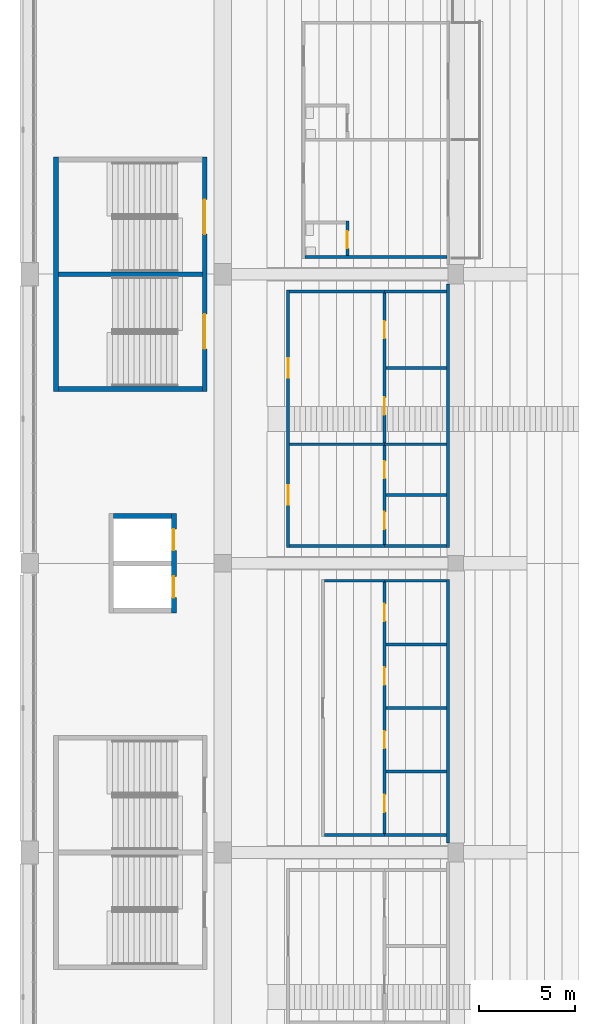
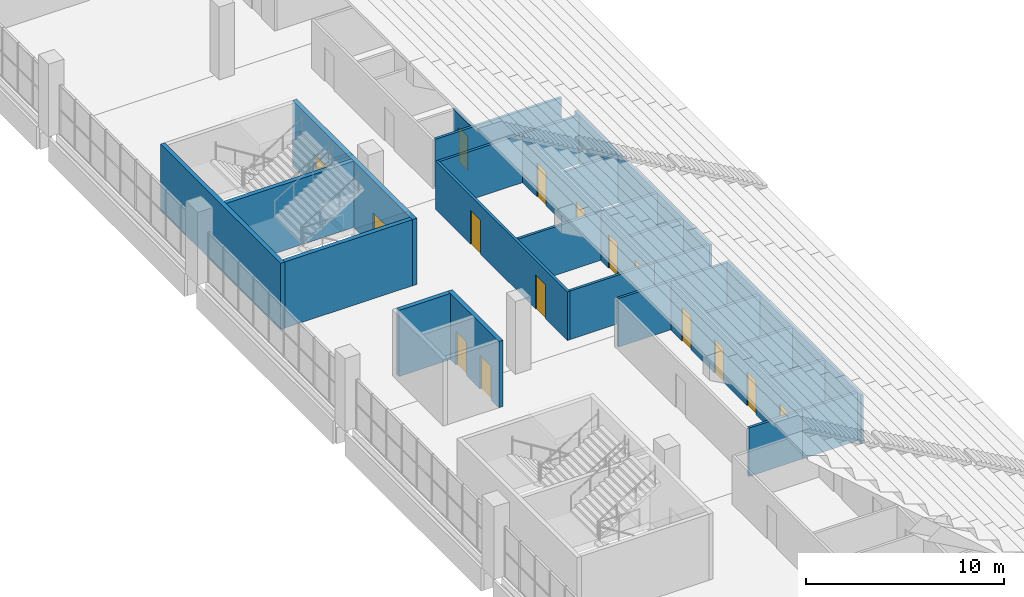
# One storey, part 90 of 249: 28 walls, 15 doors, 15 openings.
"""IFC4 building model written with IfcOpenShell, lengths in metres."""

from ifc_helpers import new_model, si_unit, direction, frame, frame_2d, origin, place, context, subcontext, project, spatial, rectangle, extrude, material, layer, layer_set, type_object, element, fill, save


model = new_model("IFC4")

# Units and contexts
model_context = context("Model", 3, precision=1e-05, world=origin(), true_north=direction((0.0, 1.0)))
body_context = subcontext(model_context, "Body", "Model", "MODEL_VIEW")
ifc_project = project(units=[si_unit("LENGTHUNIT", "METRE"), si_unit("AREAUNIT", "SQUARE_METRE"), si_unit("VOLUMEUNIT", "CUBIC_METRE"), si_unit("PLANEANGLEUNIT", "RADIAN"), si_unit("MASSUNIT", "GRAM", prefix="KILO")], contexts=[model_context])

# Site, building, storey
site_placement = place(None, origin())
site = spatial("IfcSite", under=ifc_project, at=site_placement, CompositionType="ELEMENT")
building_placement = place(site_placement, origin())
building = spatial("IfcBuilding", under=site, at=building_placement, Name="Ogive Plaza Stadium", CompositionType="ELEMENT")
storey_placement = place(building_placement, frame((0.0, 0.0, 13.5)))
storey = spatial("IfcBuildingStorey", under=building, at=storey_placement, Name="L03", CompositionType="ELEMENT", Elevation=13.5)

# Wall
ifc_material_1 = material(Name="Masonry blockwork", Category="masonry")
ifc_layer_1 = layer(ifc_material_1, 0.14990234375)
ifc_layer_set_1 = layer_set([ifc_layer_1], Name="Blockwork wall 150")
wall_type_1 = type_object("IfcWallType", Name="Blockwork wall 150", PredefinedType="SOLIDWALL", material=ifc_layer_set_1)
wall_1_placement = place(storey_placement, frame((-62.35009765625, 23.39990234375, 0.0), z_axis=(0.0, 0.0, 1.0), x_axis=(-1.0, 0.0, 0.0)))
element("IfcWall", 1, at=wall_1_placement, inside=storey, type_object=wall_type_1, Name="Wall L03 B26", PredefinedType="SOLIDWALL", context=body_context, shape_type="SweptSolid", body=[
    extrude(rectangle(XDim=7.375, YDim=0.14990234375, at=frame_2d((3.6875, 0.0))), origin(), (0.0, 0.0, 1.0), 3.0),
])

# Wall, openings, doors
ifc_material_2 = material(Name="Concrete C40/50", Category="concrete")
ifc_layer_2 = layer(ifc_material_2, 0.25)
ifc_layer_set_2 = layer_set([ifc_layer_2], Name="Concrete C40/50")
wall_type_2 = type_object("IfcWallType", Name="Core wall 250", PredefinedType="SHEAR", material=ifc_layer_set_2)
wall_2_placement = place(storey_placement, frame((-74.925048828125, 28.574951171875, 0.0), z_axis=(0.0, 0.0, 1.0), x_axis=(0.0, -1.0, 0.0)))
wall_2 = element("IfcWall", 2, at=wall_2_placement, inside=storey, type_object=wall_type_2, Name="Stair core R26 inner wall", PredefinedType="SHEAR", context=body_context, shape_type="SweptSolid", body=[
    extrude(rectangle(XDim=12.14990234375, YDim=0.25, at=frame_2d((6.074951171875, 0.0))), origin(), (0.0, 0.0, 1.0), 4.090087890625),
])
opening_1_placement = place(wall_2_placement, frame((2.199951171875, 0.0, 0.0)))
opening_1 = element("IfcOpeningElement", 3, at=opening_1_placement, cuts=wall_2, Name="Opening D0203", PredefinedType="OPENING", context=body_context, shape_type="SweptSolid", body=[
    extrude(rectangle(XDim=1.800048828125, YDim=2.10009765625, at=frame_2d((0.89990234375, 1.050048828125))), frame((0.0, 0.125, 0.0), z_axis=(0.0, -1.0, 0.0), x_axis=(1.0, 0.0, 0.0)), (0.0, 0.0, 1.0), 0.25),
])
opening_2_placement = place(wall_2_placement, frame((8.14990234375, 0.0, 0.0)))
opening_2 = element("IfcOpeningElement", 4, at=opening_2_placement, cuts=wall_2, Name="Opening D0204", PredefinedType="OPENING", context=body_context, shape_type="SweptSolid", body=[
    extrude(rectangle(XDim=1.800048828125, YDim=2.10009765625, at=frame_2d((0.89990234375, 1.050048828125))), frame((0.0, 0.125, 0.0), z_axis=(0.0, -1.0, 0.0), x_axis=(1.0, 0.0, 0.0)), (0.0, 0.0, 1.0), 0.25),
])
ifc_material_3 = material(Name="Steel ASTM A572 Grade 50", Category="steel")
door_type_1 = type_object("IfcDoorType", Name="Fire door FD90 pair 1800 x 2100", OperationType="DOUBLE_DOOR_SINGLE_SWING", PredefinedType="DOOR", material=ifc_material_3)
door_1_placement = place(opening_1_placement, origin())
door_1 = element("IfcDoor", 5, at=door_1_placement, inside=storey, type_object=door_type_1, Name="Exit stair R26A door L03", OperationType="DOUBLE_DOOR_SINGLE_SWING", OverallHeight=2.10009765625, OverallWidth=1.800048828125, PredefinedType="DOOR", context=body_context, shape_type="SweptSolid", body=[
    extrude(rectangle(XDim=1.800048828125, YDim=2.10009765625, at=frame_2d((0.89990234375, 1.050048828125))), frame((0.0, 0.02490234375, 0.0), z_axis=(0.0, -1.0, 0.0), x_axis=(1.0, 0.0, 0.0)), (0.0, 0.0, 1.0), 0.050048828125),
])
fill(opening_1, door_1)
door_2_placement = place(opening_2_placement, origin())
door_2 = element("IfcDoor", 6, at=door_2_placement, inside=storey, type_object=door_type_1, Name="Exit stair R26B door L03", OperationType="DOUBLE_DOOR_SINGLE_SWING", OverallHeight=2.10009765625, OverallWidth=1.800048828125, PredefinedType="DOOR", context=body_context, shape_type="SweptSolid", body=[
    extrude(rectangle(XDim=1.800048828125, YDim=2.10009765625, at=frame_2d((0.89990234375, 1.050048828125))), frame((0.0, 0.02490234375, 0.0), z_axis=(0.0, -1.0, 0.0), x_axis=(1.0, 0.0, 0.0)), (0.0, 0.0, 1.0), 0.050048828125),
])
fill(opening_2, door_2)

# Walls
wall_3_placement = place(storey_placement, frame((-82.635009765625, 28.574951171875, 0.0), z_axis=(0.0, 0.0, 1.0), x_axis=(0.0, -1.0, 0.0)))
element("IfcWall", 7, at=wall_3_placement, inside=storey, type_object=wall_type_2, Name="Stair core R26 outer wall", PredefinedType="SHEAR", context=body_context, shape_type="SweptSolid", body=[
    extrude(rectangle(XDim=12.14990234375, YDim=0.25, at=frame_2d((6.074951171875, 0.0))), origin(), (0.0, 0.0, 1.0), 4.090087890625),
])
for number, where, z_axis, x_axis, name in (
    (8, (-75.050048828125, 16.550048828125, 0.0), (0.0, 0.0, 1.0), (-1.0, 0.0, 0.0), "Stair core R26 side wall"),
    (9, (-75.050048828125, 22.5, 0.0), (0.0, 0.0, 1.0), (-1.0, 0.0, 0.0), "Stair core R26 centre wall"),
):
    element("IfcWall", number, at=place(storey_placement, frame(where, z_axis=z_axis, x_axis=x_axis)), inside=storey, type_object=wall_type_2, Name=name, PredefinedType="SHEAR", context=body_context, shape_type="SweptSolid", body=[
        extrude(rectangle(XDim=7.4599609375, YDim=0.25, at=frame_2d((3.72998046875, 0.0))), origin(), (0.0, 0.0, 1.0), 4.090087890625),
    ])

# Wall, openings, doors
wall_4_placement = place(storey_placement, frame((-76.52490234375, 10.074951171875, 0.0), z_axis=(0.0, 0.0, 1.0), x_axis=(0.0, -1.0, 0.0)))
wall_4 = element("IfcWall", 10, at=wall_4_placement, inside=storey, type_object=wall_type_2, Name="Lift core LP25 landing wall", PredefinedType="SHEAR", context=body_context, shape_type="SweptSolid", body=[
    extrude(rectangle(XDim=5.14990234375, YDim=0.25, at=frame_2d((2.574951171875, 0.0))), origin(), (0.0, 0.0, 1.0), 4.090087890625),
])
opening_3_placement = place(wall_4_placement, frame((0.800048828125, 0.0, 0.0)))
opening_3 = element("IfcOpeningElement", 11, at=opening_3_placement, cuts=wall_4, Name="Opening LD064", PredefinedType="OPENING", context=body_context, shape_type="SweptSolid", body=[
    extrude(rectangle(XDim=1.10009765625, YDim=2.10009765625, at=frame_2d((0.550048828125, 1.050048828125))), frame((0.0, 0.125, 0.0), z_axis=(0.0, -1.0, 0.0), x_axis=(1.0, 0.0, 0.0)), (0.0, 0.0, 1.0), 0.25),
])
opening_4_placement = place(wall_4_placement, frame((3.25, 0.0, 0.0)))
opening_4 = element("IfcOpeningElement", 12, at=opening_4_placement, cuts=wall_4, Name="Opening LD065", PredefinedType="OPENING", context=body_context, shape_type="SweptSolid", body=[
    extrude(rectangle(XDim=1.10009765625, YDim=2.10009765625, at=frame_2d((0.550048828125, 1.050048828125))), frame((0.0, 0.125, 0.0), z_axis=(0.0, -1.0, 0.0), x_axis=(1.0, 0.0, 0.0)), (0.0, 0.0, 1.0), 0.25),
])
ifc_material_4 = material(Name="Steel ASTM A572 Grade 50", Category="steel")
door_type_2 = type_object("IfcDoorType", Name="Landing door 1100 x 2100", OperationType="SLIDING_TO_LEFT", PredefinedType="DOOR", material=ifc_material_4)
door_3_placement = place(opening_3_placement, origin())
door_3 = element("IfcDoor", 13, at=door_3_placement, inside=storey, type_object=door_type_2, Name="Lift landing door LP25 L03", OperationType="SLIDING_TO_LEFT", OverallHeight=2.10009765625, OverallWidth=1.10009765625, PredefinedType="DOOR", context=body_context, shape_type="SweptSolid", body=[
    extrude(rectangle(XDim=1.10009765625, YDim=2.10009765625, at=frame_2d((0.550048828125, 1.050048828125))), frame((0.0, 0.02490234375, 0.0), z_axis=(0.0, -1.0, 0.0), x_axis=(1.0, 0.0, 0.0)), (0.0, 0.0, 1.0), 0.050048828125),
])
fill(opening_3, door_3)
door_4_placement = place(opening_4_placement, origin())
door_4 = element("IfcDoor", 14, at=door_4_placement, inside=storey, type_object=door_type_2, Name="Lift landing door LP25 L03", OperationType="SLIDING_TO_LEFT", OverallHeight=2.10009765625, OverallWidth=1.10009765625, PredefinedType="DOOR", context=body_context, shape_type="SweptSolid", body=[
    extrude(rectangle(XDim=1.10009765625, YDim=2.10009765625, at=frame_2d((0.550048828125, 1.050048828125))), frame((0.0, 0.02490234375, 0.0), z_axis=(0.0, -1.0, 0.0), x_axis=(1.0, 0.0, 0.0)), (0.0, 0.0, 1.0), 0.050048828125),
])
fill(opening_4, door_4)

# Walls
wall_5_placement = place(storey_placement, frame((-76.64990234375, 9.949951171875, 0.0), z_axis=(0.0, 0.0, 1.0), x_axis=(-1.0, 0.0, 0.0)))
element("IfcWall", 15, at=wall_5_placement, inside=storey, type_object=wall_type_2, Name="Lift core LP25 side wall", PredefinedType="SHEAR", context=body_context, shape_type="SweptSolid", body=[
    extrude(rectangle(XDim=3.0, YDim=0.25, at=frame_2d((1.5, 0.0))), origin(), (0.0, 0.0, 1.0), 4.090087890625),
])
ifc_material_5 = material(Name="Gypsum board partition", Category="gypsum")
ifc_layer_3 = layer(ifc_material_5, 0.14990234375)
ifc_layer_set_3 = layer_set([ifc_layer_3], Name="Partition 150")
wall_type_3 = type_object("IfcWallType", Name="Partition 150", PredefinedType="PARTITIONING", material=ifc_layer_set_3)
wall_6_placement = place(storey_placement, frame((-62.300048828125, -7.0, 0.0), z_axis=(0.0, 0.0, 1.0), x_axis=(0.0, 1.0, 0.0)))
element("IfcWall", 16, at=wall_6_placement, inside=storey, type_object=wall_type_3, Name="Wall L03 B24", PredefinedType="PARTITIONING", context=body_context, shape_type="SweptSolid", body=[
    extrude(rectangle(XDim=13.675048828125, YDim=0.14990234375, at=frame_2d((6.83740234375, 0.0))), origin(), (0.0, 0.0, 1.0), 3.0),
])

# Wall, openings, doors
wall_7_placement = place(storey_placement, frame((-65.60009765625, -6.675048828125, 0.0), z_axis=(0.0, 0.0, 1.0), x_axis=(0.0, 1.0, 0.0)))
wall_7 = element("IfcWall", 17, at=wall_7_placement, inside=storey, type_object=wall_type_3, Name="Wall L03 B24", PredefinedType="PARTITIONING", context=body_context, shape_type="SweptSolid", body=[
    extrude(rectangle(XDim=13.35009765625, YDim=0.14990234375, at=frame_2d((6.675048828125, 0.0))), origin(), (0.0, 0.0, 1.0), 3.0),
])
opening_5_placement = place(wall_7_placement, frame((1.27490234375, 0.0, 0.0)))
opening_5 = element("IfcOpeningElement", 18, at=opening_5_placement, cuts=wall_7, Name="Opening D0842", PredefinedType="OPENING", context=body_context, shape_type="SweptSolid", body=[
    extrude(rectangle(XDim=0.89990234375, YDim=2.10009765625, at=frame_2d((0.449951171875, 1.050048828125))), frame((0.0, 0.074951171875, 0.0), z_axis=(0.0, -1.0, 0.0), x_axis=(1.0, 0.0, 0.0)), (0.0, 0.0, 1.0), 0.14990234375),
])
opening_6_placement = place(wall_7_placement, frame((4.574951171875, 0.0, 0.0)))
opening_6 = element("IfcOpeningElement", 19, at=opening_6_placement, cuts=wall_7, Name="Opening D0843", PredefinedType="OPENING", context=body_context, shape_type="SweptSolid", body=[
    extrude(rectangle(XDim=0.89990234375, YDim=2.10009765625, at=frame_2d((0.449951171875, 1.050048828125))), frame((0.0, 0.074951171875, 0.0), z_axis=(0.0, -1.0, 0.0), x_axis=(1.0, 0.0, 0.0)), (0.0, 0.0, 1.0), 0.14990234375),
])
opening_7_placement = place(wall_7_placement, frame((7.875, 0.0, 0.0)))
opening_7 = element("IfcOpeningElement", 20, at=opening_7_placement, cuts=wall_7, Name="Opening D0844", PredefinedType="OPENING", context=body_context, shape_type="SweptSolid", body=[
    extrude(rectangle(XDim=0.89990234375, YDim=2.10009765625, at=frame_2d((0.449951171875, 1.050048828125))), frame((0.0, 0.074951171875, 0.0), z_axis=(0.0, -1.0, 0.0), x_axis=(1.0, 0.0, 0.0)), (0.0, 0.0, 1.0), 0.14990234375),
])
opening_8_placement = place(wall_7_placement, frame((11.175048828125, 0.0, 0.0)))
opening_8 = element("IfcOpeningElement", 21, at=opening_8_placement, cuts=wall_7, Name="Opening D0845", PredefinedType="OPENING", context=body_context, shape_type="SweptSolid", body=[
    extrude(rectangle(XDim=0.89990234375, YDim=2.10009765625, at=frame_2d((0.449951171875, 1.050048828125))), frame((0.0, 0.074951171875, 0.0), z_axis=(0.0, -1.0, 0.0), x_axis=(1.0, 0.0, 0.0)), (0.0, 0.0, 1.0), 0.14990234375),
])
ifc_material_6 = material(Name="Steel ASTM A572 Grade 50", Category="steel")
door_type_3 = type_object("IfcDoorType", Name="Door 900 x 2100", OperationType="SINGLE_SWING_LEFT", PredefinedType="DOOR", material=ifc_material_6)
door_5_placement = place(opening_5_placement, origin())
door_5 = element("IfcDoor", 22, at=door_5_placement, inside=storey, type_object=door_type_3, Name="Commentary Booth B24 door", OperationType="SINGLE_SWING_LEFT", OverallHeight=2.10009765625, OverallWidth=0.89990234375, PredefinedType="DOOR", context=body_context, shape_type="SweptSolid", body=[
    extrude(rectangle(XDim=0.89990234375, YDim=2.10009765625, at=frame_2d((0.449951171875, 1.050048828125))), frame((0.0, 0.02490234375, 0.0), z_axis=(0.0, -1.0, 0.0), x_axis=(1.0, 0.0, 0.0)), (0.0, 0.0, 1.0), 0.050048828125),
])
fill(opening_5, door_5)
door_6_placement = place(opening_6_placement, origin())
door_6 = element("IfcDoor", 23, at=door_6_placement, inside=storey, type_object=door_type_3, Name="Commentary Booth B24 door", OperationType="SINGLE_SWING_RIGHT", OverallHeight=2.10009765625, OverallWidth=0.89990234375, PredefinedType="DOOR", context=body_context, shape_type="SweptSolid", body=[
    extrude(rectangle(XDim=0.89990234375, YDim=2.10009765625, at=frame_2d((0.449951171875, 1.050048828125))), frame((0.0, 0.02490234375, 0.0), z_axis=(0.0, -1.0, 0.0), x_axis=(1.0, 0.0, 0.0)), (0.0, 0.0, 1.0), 0.050048828125),
])
fill(opening_6, door_6)
door_7_placement = place(opening_7_placement, origin())
door_7 = element("IfcDoor", 24, at=door_7_placement, inside=storey, type_object=door_type_3, Name="Commentary Booth B24 door", OperationType="SINGLE_SWING_LEFT", OverallHeight=2.10009765625, OverallWidth=0.89990234375, PredefinedType="DOOR", context=body_context, shape_type="SweptSolid", body=[
    extrude(rectangle(XDim=0.89990234375, YDim=2.10009765625, at=frame_2d((0.449951171875, 1.050048828125))), frame((0.0, 0.02490234375, 0.0), z_axis=(0.0, -1.0, 0.0), x_axis=(1.0, 0.0, 0.0)), (0.0, 0.0, 1.0), 0.050048828125),
])
fill(opening_7, door_7)
door_8_placement = place(opening_8_placement, origin())
door_8 = element("IfcDoor", 25, at=door_8_placement, inside=storey, type_object=door_type_3, Name="Commentary Booth B24 door", OperationType="SINGLE_SWING_RIGHT", OverallHeight=2.10009765625, OverallWidth=0.89990234375, PredefinedType="DOOR", context=body_context, shape_type="SweptSolid", body=[
    extrude(rectangle(XDim=0.89990234375, YDim=2.10009765625, at=frame_2d((0.449951171875, 1.050048828125))), frame((0.0, 0.02490234375, 0.0), z_axis=(0.0, -1.0, 0.0), x_axis=(1.0, 0.0, 0.0)), (0.0, 0.0, 1.0), 0.050048828125),
])
fill(opening_8, door_8)

# Walls
wall_8_placement = place(storey_placement, frame((-62.375, -6.60009765625, 0.0), z_axis=(0.0, 0.0, 1.0), x_axis=(-1.0, 0.0, 0.0)))
element("IfcWall", 26, at=wall_8_placement, inside=storey, type_object=wall_type_3, Name="Wall L03 B24", PredefinedType="PARTITIONING", context=body_context, shape_type="SweptSolid", body=[
    extrude(rectangle(XDim=3.22509765625, YDim=0.14990234375, at=frame_2d((1.612548828125, 0.0))), origin(), (0.0, 0.0, 1.0), 3.0),
])
for number, where, z_axis, x_axis, name in (
    (27, (-62.375, -3.300048828125, 0.0), (0.0, 0.0, 1.0), (-1.0, 0.0, 0.0), "Wall L03 B24"),
    (28, (-62.375, 0.0, 0.0), (0.0, 0.0, 1.0), (-1.0, 0.0, 0.0), "Wall L03 B24"),
    (29, (-62.375, 3.300048828125, 0.0), (0.0, 0.0, 1.0), (-1.0, 0.0, 0.0), "Wall L03 B24"),
):
    element("IfcWall", number, at=place(storey_placement, frame(where, z_axis=z_axis, x_axis=x_axis)), inside=storey, type_object=wall_type_3, Name=name, PredefinedType="PARTITIONING", context=body_context, shape_type="SweptSolid", body=[
        extrude(rectangle(XDim=3.14990234375, YDim=0.14990234375, at=frame_2d((1.574951171875, 0.0))), origin(), (0.0, 0.0, 1.0), 3.0),
    ])
wall_9_placement = place(storey_placement, frame((-62.375, 6.60009765625, 0.0), z_axis=(0.0, 0.0, 1.0), x_axis=(-1.0, 0.0, 0.0)))
element("IfcWall", 30, at=wall_9_placement, inside=storey, type_object=wall_type_3, Name="Wall L03 B24", PredefinedType="PARTITIONING", context=body_context, shape_type="SweptSolid", body=[
    extrude(rectangle(XDim=3.22509765625, YDim=0.14990234375, at=frame_2d((1.612548828125, 0.0))), origin(), (0.0, 0.0, 1.0), 3.0),
])
for number, where, z_axis, x_axis, name in (
    (31, (-65.60009765625, -6.60009765625, 0.0), (0.0, 0.0, 1.0), (-1.0, 0.0, 0.0), "Wall L03 B24"),
    (32, (-65.60009765625, 6.60009765625, 0.0), (0.0, 0.0, 1.0), (-1.0, 0.0, 0.0), "Wall L03 B24"),
):
    element("IfcWall", number, at=place(storey_placement, frame(where, z_axis=z_axis, x_axis=x_axis)), inside=storey, type_object=wall_type_3, Name=name, PredefinedType="PARTITIONING", context=body_context, shape_type="SweptSolid", body=[
        extrude(rectangle(XDim=3.125, YDim=0.14990234375, at=frame_2d((1.5625, 0.0))), origin(), (0.0, 0.0, 1.0), 3.0),
    ])
wall_10_placement = place(storey_placement, frame((-62.300048828125, 22.0, 0.0), z_axis=(0.0, 0.0, 1.0), x_axis=(0.0, -1.0, 0.0)))
element("IfcWall", 33, at=wall_10_placement, inside=storey, type_object=wall_type_3, Name="Wall L03 B25", PredefinedType="PARTITIONING", context=body_context, shape_type="SweptSolid", body=[
    extrude(rectangle(XDim=13.675048828125, YDim=0.14990234375, at=frame_2d((6.83740234375, 0.0))), origin(), (0.0, 0.0, 1.0), 3.0),
])

# Wall, openings, doors
wall_11_placement = place(storey_placement, frame((-65.60009765625, 21.675048828125, 0.0), z_axis=(0.0, 0.0, 1.0), x_axis=(0.0, -1.0, 0.0)))
wall_11 = element("IfcWall", 34, at=wall_11_placement, inside=storey, type_object=wall_type_3, Name="Wall L03 B25", PredefinedType="PARTITIONING", context=body_context, shape_type="SweptSolid", body=[
    extrude(rectangle(XDim=13.35009765625, YDim=0.14990234375, at=frame_2d((6.675048828125, 0.0))), origin(), (0.0, 0.0, 1.0), 3.0),
])
opening_9_placement = place(wall_11_placement, frame((1.60498046875, 0.0, 0.0)))
opening_9 = element("IfcOpeningElement", 35, at=opening_9_placement, cuts=wall_11, Name="Opening D0847", PredefinedType="OPENING", context=body_context, shape_type="SweptSolid", body=[
    extrude(rectangle(XDim=0.89990234375, YDim=2.10009765625, at=frame_2d((0.449951171875, 1.050048828125))), frame((0.0, 0.074951171875, 0.0), z_axis=(0.0, -1.0, 0.0), x_axis=(1.0, 0.0, 0.0)), (0.0, 0.0, 1.0), 0.14990234375),
])
opening_10_placement = place(wall_11_placement, frame((5.56494140625, 0.0, 0.0)))
opening_10 = element("IfcOpeningElement", 36, at=opening_10_placement, cuts=wall_11, Name="Opening D0848", PredefinedType="OPENING", context=body_context, shape_type="SweptSolid", body=[
    extrude(rectangle(XDim=0.89990234375, YDim=2.10009765625, at=frame_2d((0.449951171875, 1.050048828125))), frame((0.0, 0.074951171875, 0.0), z_axis=(0.0, -1.0, 0.0), x_axis=(1.0, 0.0, 0.0)), (0.0, 0.0, 1.0), 0.14990234375),
])
opening_11_placement = place(wall_11_placement, frame((8.864990234375, 0.0, 0.0)))
opening_11 = element("IfcOpeningElement", 37, at=opening_11_placement, cuts=wall_11, Name="Opening D0849", PredefinedType="OPENING", context=body_context, shape_type="SweptSolid", body=[
    extrude(rectangle(XDim=0.89990234375, YDim=2.10009765625, at=frame_2d((0.449951171875, 1.050048828125))), frame((0.0, 0.074951171875, 0.0), z_axis=(0.0, -1.0, 0.0), x_axis=(1.0, 0.0, 0.0)), (0.0, 0.0, 1.0), 0.14990234375),
])
opening_12_placement = place(wall_11_placement, frame((11.5048828125, 0.0, 0.0)))
opening_12 = element("IfcOpeningElement", 38, at=opening_12_placement, cuts=wall_11, Name="Opening D0850", PredefinedType="OPENING", context=body_context, shape_type="SweptSolid", body=[
    extrude(rectangle(XDim=0.89990234375, YDim=2.10009765625, at=frame_2d((0.449951171875, 1.050048828125))), frame((0.0, 0.074951171875, 0.0), z_axis=(0.0, -1.0, 0.0), x_axis=(1.0, 0.0, 0.0)), (0.0, 0.0, 1.0), 0.14990234375),
])
door_9_placement = place(opening_9_placement, origin())
door_9 = element("IfcDoor", 39, at=door_9_placement, inside=storey, type_object=door_type_3, Name="Commentary Booth B25 door", OperationType="SINGLE_SWING_LEFT", OverallHeight=2.10009765625, OverallWidth=0.89990234375, PredefinedType="DOOR", context=body_context, shape_type="SweptSolid", body=[
    extrude(rectangle(XDim=0.89990234375, YDim=2.10009765625, at=frame_2d((0.449951171875, 1.050048828125))), frame((0.0, 0.02490234375, 0.0), z_axis=(0.0, -1.0, 0.0), x_axis=(1.0, 0.0, 0.0)), (0.0, 0.0, 1.0), 0.050048828125),
])
fill(opening_9, door_9)
door_10_placement = place(opening_10_placement, origin())
door_10 = element("IfcDoor", 40, at=door_10_placement, inside=storey, type_object=door_type_3, Name="Commentary Booth B25 door", OperationType="SINGLE_SWING_RIGHT", OverallHeight=2.10009765625, OverallWidth=0.89990234375, PredefinedType="DOOR", context=body_context, shape_type="SweptSolid", body=[
    extrude(rectangle(XDim=0.89990234375, YDim=2.10009765625, at=frame_2d((0.449951171875, 1.050048828125))), frame((0.0, 0.02490234375, 0.0), z_axis=(0.0, -1.0, 0.0), x_axis=(1.0, 0.0, 0.0)), (0.0, 0.0, 1.0), 0.050048828125),
])
fill(opening_10, door_10)
door_11_placement = place(opening_11_placement, origin())
door_11 = element("IfcDoor", 41, at=door_11_placement, inside=storey, type_object=door_type_3, Name="Commentary Booth B25 door", OperationType="SINGLE_SWING_LEFT", OverallHeight=2.10009765625, OverallWidth=0.89990234375, PredefinedType="DOOR", context=body_context, shape_type="SweptSolid", body=[
    extrude(rectangle(XDim=0.89990234375, YDim=2.10009765625, at=frame_2d((0.449951171875, 1.050048828125))), frame((0.0, 0.02490234375, 0.0), z_axis=(0.0, -1.0, 0.0), x_axis=(1.0, 0.0, 0.0)), (0.0, 0.0, 1.0), 0.050048828125),
])
fill(opening_11, door_11)
door_12_placement = place(opening_12_placement, origin())
door_12 = element("IfcDoor", 42, at=door_12_placement, inside=storey, type_object=door_type_3, Name="Commentary Booth B25 door", OperationType="SINGLE_SWING_RIGHT", OverallHeight=2.10009765625, OverallWidth=0.89990234375, PredefinedType="DOOR", context=body_context, shape_type="SweptSolid", body=[
    extrude(rectangle(XDim=0.89990234375, YDim=2.10009765625, at=frame_2d((0.449951171875, 1.050048828125))), frame((0.0, 0.02490234375, 0.0), z_axis=(0.0, -1.0, 0.0), x_axis=(1.0, 0.0, 0.0)), (0.0, 0.0, 1.0), 0.050048828125),
])
fill(opening_12, door_12)

# Walls
wall_12_placement = place(storey_placement, frame((-62.375, 21.60009765625, 0.0), z_axis=(0.0, 0.0, 1.0), x_axis=(-1.0, 0.0, 0.0)))
element("IfcWall", 43, at=wall_12_placement, inside=storey, type_object=wall_type_3, Name="Wall L03 B25", PredefinedType="PARTITIONING", context=body_context, shape_type="SweptSolid", body=[
    extrude(rectangle(XDim=3.22509765625, YDim=0.14990234375, at=frame_2d((1.612548828125, 0.0))), origin(), (0.0, 0.0, 1.0), 3.0),
])
wall_13_placement = place(storey_placement, frame((-62.375, 17.639892578125, 0.0), z_axis=(0.0, 0.0, 1.0), x_axis=(-1.0, 0.0, 0.0)))
element("IfcWall", 44, at=wall_13_placement, inside=storey, type_object=wall_type_3, Name="Wall L03 B25", PredefinedType="PARTITIONING", context=body_context, shape_type="SweptSolid", body=[
    extrude(rectangle(XDim=3.14990234375, YDim=0.14990234375, at=frame_2d((1.574951171875, 0.0))), origin(), (0.0, 0.0, 1.0), 3.0),
])
wall_14_placement = place(storey_placement, frame((-62.375, 13.679931640625, 0.0), z_axis=(0.0, 0.0, 1.0), x_axis=(-1.0, 0.0, 0.0)))
element("IfcWall", 45, at=wall_14_placement, inside=storey, type_object=wall_type_3, Name="Wall L03 B25", PredefinedType="PARTITIONING", context=body_context, shape_type="SweptSolid", body=[
    extrude(rectangle(XDim=3.22509765625, YDim=0.14990234375, at=frame_2d((1.612548828125, 0.0))), origin(), (0.0, 0.0, 1.0), 3.0),
])
wall_15_placement = place(storey_placement, frame((-62.375, 11.0400390625, 0.0), z_axis=(0.0, 0.0, 1.0), x_axis=(-1.0, 0.0, 0.0)))
element("IfcWall", 46, at=wall_15_placement, inside=storey, type_object=wall_type_3, Name="Wall L03 B25", PredefinedType="PARTITIONING", context=body_context, shape_type="SweptSolid", body=[
    extrude(rectangle(XDim=3.14990234375, YDim=0.14990234375, at=frame_2d((1.574951171875, 0.0))), origin(), (0.0, 0.0, 1.0), 3.0),
])
wall_16_placement = place(storey_placement, frame((-62.375, 8.39990234375, 0.0), z_axis=(0.0, 0.0, 1.0), x_axis=(-1.0, 0.0, 0.0)))
element("IfcWall", 47, at=wall_16_placement, inside=storey, type_object=wall_type_3, Name="Wall L03 B25", PredefinedType="PARTITIONING", context=body_context, shape_type="SweptSolid", body=[
    extrude(rectangle(XDim=3.22509765625, YDim=0.14990234375, at=frame_2d((1.612548828125, 0.0))), origin(), (0.0, 0.0, 1.0), 3.0),
])

# Wall, openings, doors
wall_17_placement = place(storey_placement, frame((-70.60009765625, 21.675048828125, 0.0), z_axis=(0.0, 0.0, 1.0), x_axis=(0.0, -1.0, 0.0)))
wall_17 = element("IfcWall", 48, at=wall_17_placement, inside=storey, type_object=wall_type_3, Name="Wall L03 B25", PredefinedType="PARTITIONING", context=body_context, shape_type="SweptSolid", body=[
    extrude(rectangle(XDim=13.35009765625, YDim=0.14990234375, at=frame_2d((6.675048828125, 0.0))), origin(), (0.0, 0.0, 1.0), 3.0),
])
opening_13_placement = place(wall_17_placement, frame((3.534912109375, 0.0, 0.0)))
opening_13 = element("IfcOpeningElement", 49, at=opening_13_placement, cuts=wall_17, Name="Opening D0851", PredefinedType="OPENING", context=body_context, shape_type="SweptSolid", body=[
    extrude(rectangle(XDim=1.0, YDim=2.10009765625, at=frame_2d((0.5, 1.050048828125))), frame((0.0, 0.074951171875, 0.0), z_axis=(0.0, -1.0, 0.0), x_axis=(1.0, 0.0, 0.0)), (0.0, 0.0, 1.0), 0.14990234375),
])
opening_14_placement = place(wall_17_placement, frame((10.135009765625, 0.0, 0.0)))
opening_14 = element("IfcOpeningElement", 50, at=opening_14_placement, cuts=wall_17, Name="Opening D0852", PredefinedType="OPENING", context=body_context, shape_type="SweptSolid", body=[
    extrude(rectangle(XDim=1.0, YDim=2.10009765625, at=frame_2d((0.5, 1.050048828125))), frame((0.0, 0.074951171875, 0.0), z_axis=(0.0, -1.0, 0.0), x_axis=(1.0, 0.0, 0.0)), (0.0, 0.0, 1.0), 0.14990234375),
])
ifc_material_7 = material(Name="Steel ASTM A572 Grade 50", Category="steel")
door_type_4 = type_object("IfcDoorType", Name="Door 1000 x 2100", OperationType="SINGLE_SWING_LEFT", PredefinedType="DOOR", material=ifc_material_7)
door_13_placement = place(opening_13_placement, origin())
door_13 = element("IfcDoor", 51, at=door_13_placement, inside=storey, type_object=door_type_4, Name="Press Conference Room B25 door", OperationType="SINGLE_SWING_LEFT", OverallHeight=2.10009765625, OverallWidth=1.0, PredefinedType="DOOR", context=body_context, shape_type="SweptSolid", body=[
    extrude(rectangle(XDim=1.0, YDim=2.10009765625, at=frame_2d((0.5, 1.050048828125))), frame((0.0, 0.02490234375, 0.0), z_axis=(0.0, -1.0, 0.0), x_axis=(1.0, 0.0, 0.0)), (0.0, 0.0, 1.0), 0.050048828125),
])
fill(opening_13, door_13)
door_14_placement = place(opening_14_placement, origin())
door_14 = element("IfcDoor", 52, at=door_14_placement, inside=storey, type_object=door_type_4, Name="Broadcast Control Room B25 door", OperationType="SINGLE_SWING_RIGHT", OverallHeight=2.10009765625, OverallWidth=1.0, PredefinedType="DOOR", context=body_context, shape_type="SweptSolid", body=[
    extrude(rectangle(XDim=1.0, YDim=2.10009765625, at=frame_2d((0.5, 1.050048828125))), frame((0.0, 0.02490234375, 0.0), z_axis=(0.0, -1.0, 0.0), x_axis=(1.0, 0.0, 0.0)), (0.0, 0.0, 1.0), 0.050048828125),
])
fill(opening_14, door_14)

# Walls
for number, where, z_axis, x_axis, name in (
    (53, (-65.60009765625, 21.60009765625, 0.0), (0.0, 0.0, 1.0), (-1.0, 0.0, 0.0), "Wall L03 B25"),
    (54, (-65.60009765625, 13.679931640625, 0.0), (0.0, 0.0, 1.0), (-1.0, 0.0, 0.0), "Wall L03 B25"),
    (55, (-65.60009765625, 8.39990234375, 0.0), (0.0, 0.0, 1.0), (-1.0, 0.0, 0.0), "Wall L03 B25"),
):
    element("IfcWall", number, at=place(storey_placement, frame(where, z_axis=z_axis, x_axis=x_axis)), inside=storey, type_object=wall_type_3, Name=name, PredefinedType="PARTITIONING", context=body_context, shape_type="SweptSolid", body=[
        extrude(rectangle(XDim=4.9248046875, YDim=0.14990234375, at=frame_2d((2.46240234375, 0.0))), origin(), (0.0, 0.0, 1.0), 3.0),
    ])

# Wall, opening, door
wall_18_placement = place(storey_placement, frame((-67.52490234375, 23.47509765625, 0.0), z_axis=(0.0, 0.0, 1.0), x_axis=(0.0, 1.0, 0.0)))
wall_18 = element("IfcWall", 56, at=wall_18_placement, inside=storey, type_object=wall_type_3, Name="Wall L03 B26", PredefinedType="PARTITIONING", context=body_context, shape_type="SweptSolid", body=[
    extrude(rectangle(XDim=1.77490234375, YDim=0.14990234375, at=frame_2d((0.887451171875, 0.0))), origin(), (0.0, 0.0, 1.0), 3.0),
])
opening_15_placement = place(wall_18_placement, frame((0.362548828125, 0.0, 0.0)))
opening_15 = element("IfcOpeningElement", 57, at=opening_15_placement, cuts=wall_18, Name="Opening D0857", PredefinedType="OPENING", context=body_context, shape_type="SweptSolid", body=[
    extrude(rectangle(XDim=0.89990234375, YDim=2.10009765625, at=frame_2d((0.449951171875, 1.050048828125))), frame((0.0, 0.074951171875, 0.0), z_axis=(0.0, -1.0, 0.0), x_axis=(1.0, 0.0, 0.0)), (0.0, 0.0, 1.0), 0.14990234375),
])
door_15_placement = place(opening_15_placement, origin())
door_15 = element("IfcDoor", 58, at=door_15_placement, inside=storey, type_object=door_type_3, Name="Suite WC B26 door", OperationType="SINGLE_SWING_LEFT", OverallHeight=2.10009765625, OverallWidth=0.89990234375, PredefinedType="DOOR", context=body_context, shape_type="SweptSolid", body=[
    extrude(rectangle(XDim=0.89990234375, YDim=2.10009765625, at=frame_2d((0.449951171875, 1.050048828125))), frame((0.0, 0.02490234375, 0.0), z_axis=(0.0, -1.0, 0.0), x_axis=(1.0, 0.0, 0.0)), (0.0, 0.0, 1.0), 0.050048828125),
])
fill(opening_15, door_15)

save(model, "model.ifc")
